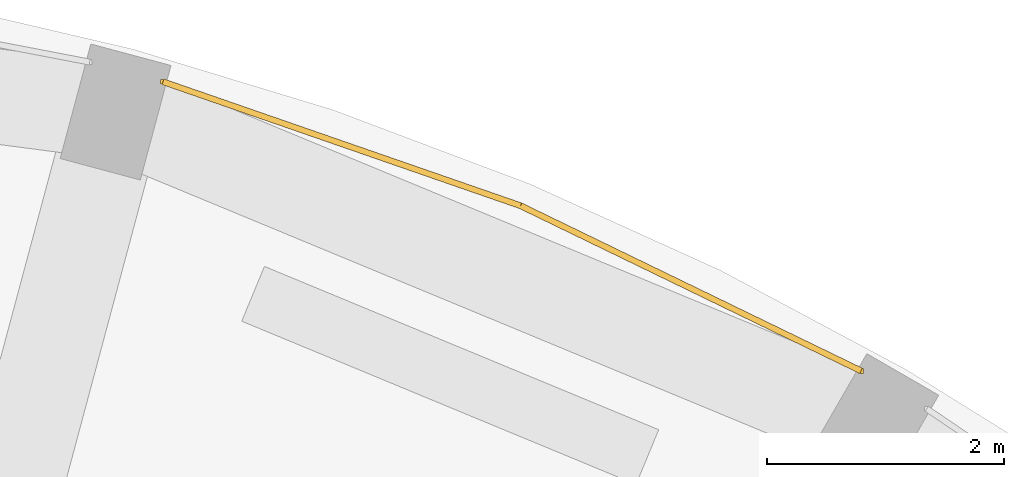
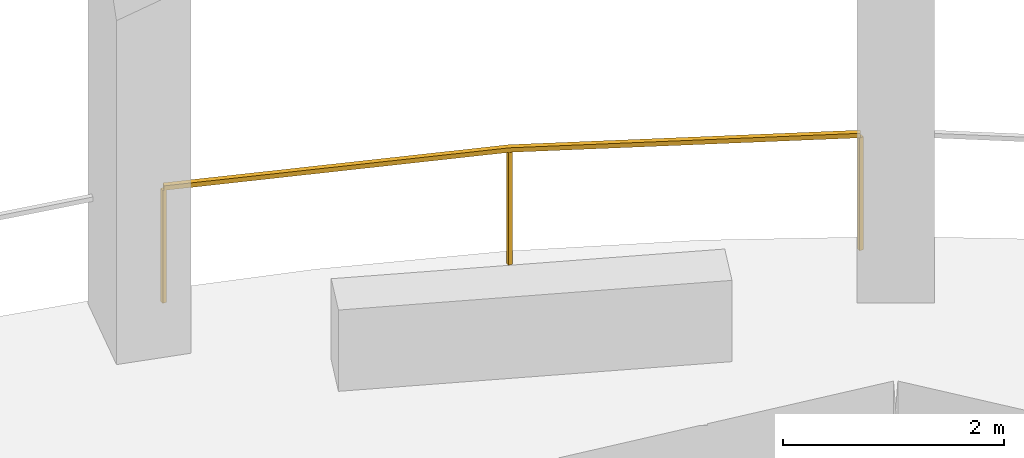
# One storey, part 9 of 9: 1 railing.
"""IFC4 building model written with IfcOpenShell, lengths in metres."""

from ifc_helpers import new_model, si_unit, direction, frame, origin, origin_2d, place, context, subcontext, project, spatial, rectangle, extrude, material, type_object, element, save


model = new_model("IFC4")

# Units and contexts
model_context = context("Model", 3, precision=1e-05, world=origin(), true_north=direction((0.0, 1.0)))
body_context = subcontext(model_context, "Body", "Model", "MODEL_VIEW")
ifc_project = project(units=[si_unit("LENGTHUNIT", "METRE"), si_unit("AREAUNIT", "SQUARE_METRE"), si_unit("VOLUMEUNIT", "CUBIC_METRE"), si_unit("PLANEANGLEUNIT", "RADIAN"), si_unit("MASSUNIT", "GRAM", prefix="KILO")], contexts=[model_context])

# Site, building, storey
site_placement = place(None, origin())
site = spatial("IfcSite", under=ifc_project, at=site_placement, CompositionType="ELEMENT")
building_placement = place(site_placement, origin())
building = spatial("IfcBuilding", under=site, at=building_placement, Name="Torre Triforio", CompositionType="ELEMENT")
storey_placement = place(building_placement, frame((0.0, 0.0, 63.0)))
storey = spatial("IfcBuildingStorey", under=building, at=storey_placement, Name="L13", CompositionType="ELEMENT", Elevation=63.0)

# Railing
ifc_material = material(Name="Stainless steel AISI 316", Category="steel")
railing_type = type_object("IfcRailingType", Name="Loggia guard 1300", PredefinedType="GUARDRAIL", material=ifc_material)
railing_placement = place(storey_placement, frame((13.14794921875, 23.412841796875, 0.0)))
element("IfcRailing", 1, at=railing_placement, inside=storey, type_object=railing_type, Name="Loggia guard L13 bay 05", PredefinedType="GUARDRAIL", context=body_context, shape_type="SweptSolid", body=[
    extrude(rectangle(XDim=0.050048828125, YDim=0.050048828125, at=origin_2d()), frame((0.0, 0.0, 1.27490234375), z_axis=(-0.899760432952, 0.436384192305, 0.0), x_axis=(-0.436384192305, -0.899760432952, 0.0)), (0.0, 0.0, 1.0), 3.19287109375),
    extrude(rectangle(XDim=0.050048828125, YDim=0.050048828125, at=origin_2d()), frame((-2.872802734375, 1.393310546875, 1.27490234375), z_axis=(-0.94480685358, 0.327627852034, 0.0), x_axis=(-0.327627852034, -0.94480685358, 0.0)), (0.0, 0.0, 1.0), 3.193115234375),
    extrude(rectangle(XDim=0.0400390625, YDim=0.0400390625, at=origin_2d()), origin(), (0.0, 0.0, 1.0), 1.25),
    extrude(rectangle(XDim=0.0400390625, YDim=0.0400390625, at=origin_2d()), frame((-2.872802734375, 1.393310546875, 0.0)), (0.0, 0.0, 1.0), 1.25),
    extrude(rectangle(XDim=0.0400390625, YDim=0.0400390625, at=origin_2d()), frame((-5.8896484375, 2.439453125, 0.0)), (0.0, 0.0, 1.0), 1.25),
])

save(model, "model.ifc")
